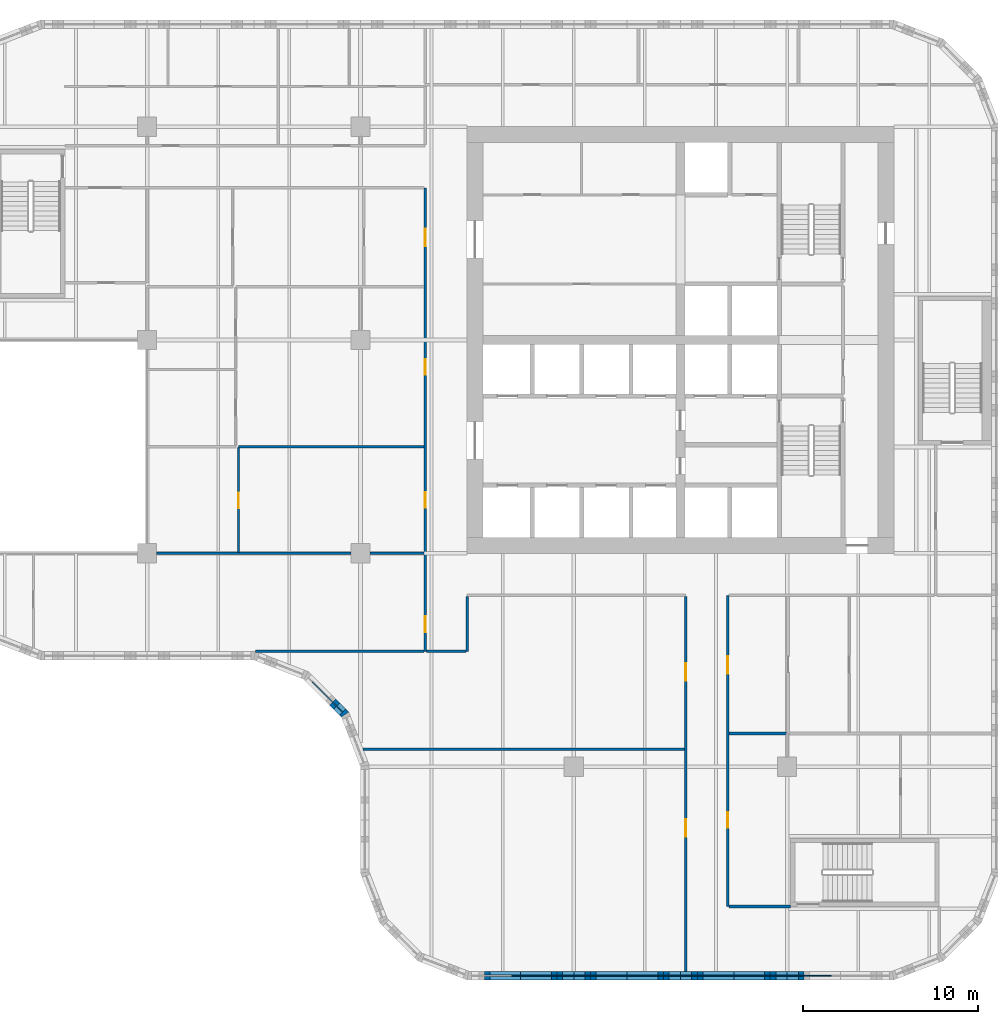
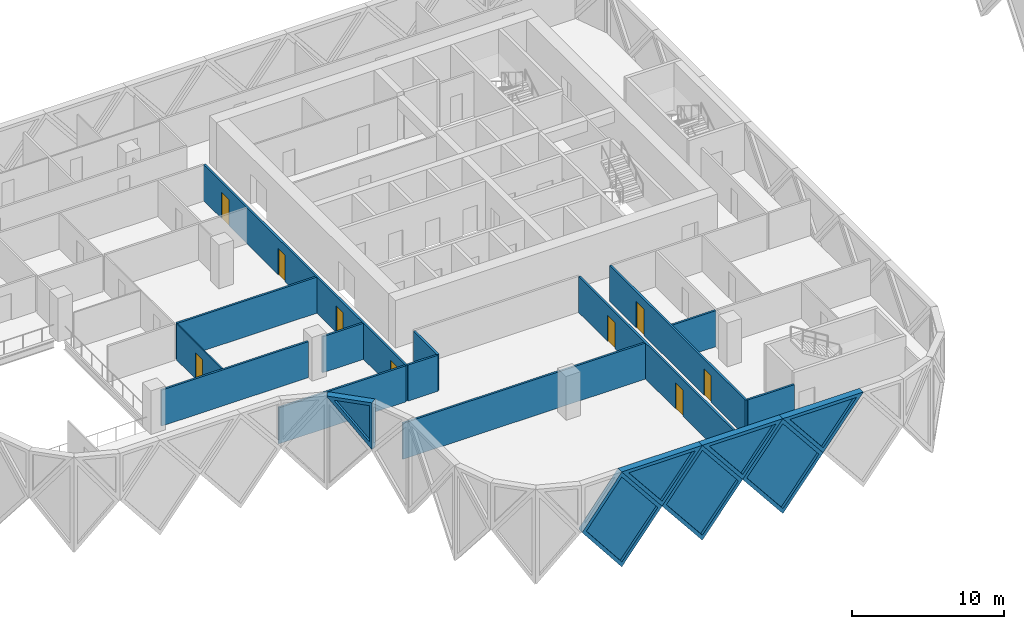
# One storey, part 6 of 24: 20 walls, 9 doors, 7 plates, 16 openings.
"""IFC4 building model written with IfcOpenShell, lengths in metres."""

from ifc_helpers import new_model, si_unit, direction, frame, frame_2d, origin, place, context, subcontext, project, spatial, polyline, rectangle, outline, extrude, faceted_brep, source, transform, mapped, material, layer, layer_set, type_object, element, fill, save


model = new_model("IFC4")

# Units and contexts
model_context = context("Model", 3, precision=1e-05, world=origin(), true_north=direction((0.0, 1.0)))
body_context = subcontext(model_context, "Body", "Model", "MODEL_VIEW")
ifc_project = project(units=[si_unit("LENGTHUNIT", "METRE"), si_unit("AREAUNIT", "SQUARE_METRE"), si_unit("VOLUMEUNIT", "CUBIC_METRE"), si_unit("PLANEANGLEUNIT", "RADIAN"), si_unit("MASSUNIT", "GRAM", prefix="KILO")], contexts=[model_context])

# Site, building, storey
site_placement = place(None, origin())
site = spatial("IfcSite", under=ifc_project, at=site_placement, CompositionType="ELEMENT")
building_placement = place(site_placement, origin())
building = spatial("IfcBuilding", under=site, at=building_placement, Name="Tessera Gate Towers", CompositionType="ELEMENT")
storey_placement = place(building_placement, frame((0.0, 0.0, 60.0)))
storey = spatial("IfcBuildingStorey", under=building, at=storey_placement, Name="L14", CompositionType="ELEMENT", Elevation=60.0)

# Wall, openings, doors
ifc_material_1 = material(Name="Gypsum board on steel studs, mineral wool", Category="steel")
ifc_layer_1 = layer(ifc_material_1, 0.14990234375)
ifc_layer_set_1 = layer_set([ifc_layer_1], Name="CORRIDOR WALL 150")
wall_type_1 = type_object("IfcWallType", Name="CORRIDOR WALL 150", PredefinedType="PARTITIONING", material=ifc_layer_set_1)
wall_1_placement = place(storey_placement, frame((43.0, 0.5, 0.0), z_axis=(0.0, 0.0, 1.0), x_axis=(0.0, 1.0, 0.0)))
wall_1 = element("IfcWall", 1, at=wall_1_placement, inside=storey, type_object=wall_type_1, Name="T1-L14-PW-001", PredefinedType="PARTITIONING", context=body_context, shape_type="SweptSolid", body=[
    extrude(rectangle(XDim=21.424072265625, YDim=0.14990234375, at=frame_2d((10.7119140625, 0.0))), origin(), (0.0, 0.0, 1.0), 2.887939453125),
])
shared_shape_1 = source(origin(), body_context, "Body", "SweptSolid", [
    extrude(rectangle(XDim=1.0, YDim=2.10009765625, at=frame_2d((0.5, 1.050048828125))), frame((0.0, 0.0849609375, 0.0), z_axis=(0.0, -1.0, 0.0), x_axis=(1.0, 0.0, 0.0)), (0.0, 0.0, 1.0), 0.169921875),
])
opening_1_placement = place(wall_1_placement, frame((16.60107421875, 0.0, 0.0)))
opening_1 = element("IfcOpeningElement", 2, at=opening_1_placement, cuts=wall_1, Name="Opening D2100FD60-A05-03", PredefinedType="OPENING", context=body_context, shape_type="MappedRepresentation", body=[
    mapped(shared_shape_1, transform((0.0, 0.0, 0.0), scale=1.0)),
])
opening_2_placement = place(wall_1_placement, frame((7.699951171875, 0.0, 0.0)))
opening_2 = element("IfcOpeningElement", 3, at=opening_2_placement, cuts=wall_1, Name="Opening D2100FD60-A05-04", PredefinedType="OPENING", context=body_context, shape_type="MappedRepresentation", body=[
    mapped(shared_shape_1, transform((0.0, 0.0, 0.0), scale=1.0)),
])
ifc_material_2 = material(Name="Timber door leaf in steel frame", Category="steel")
door_type_1 = type_object("IfcDoorType", Name="TENANCY ENTRANCE DOOR 1000 FD60", OperationType="NOTDEFINED", PredefinedType="DOOR", material=ifc_material_2)
shared_shape_2 = source(origin(), body_context, "Body", "SweptSolid", [
    extrude(rectangle(XDim=1.0, YDim=2.10009765625, at=frame_2d((0.5, 1.050048828125))), frame((0.0, 0.02490234375, 0.0), z_axis=(0.0, -1.0, 0.0), x_axis=(1.0, 0.0, 0.0)), (0.0, 0.0, 1.0), 0.050048828125),
])
door_1_placement = place(opening_1_placement, origin())
door_1 = element("IfcDoor", 4, at=door_1_placement, inside=storey, type_object=door_type_1, Name="T1-L14-PD-022", OperationType="SINGLE_SWING_LEFT", OverallHeight=2.10009765625, OverallWidth=1.0, PredefinedType="DOOR", context=body_context, shape_type="MappedRepresentation", body=[
    mapped(shared_shape_2, transform((0.0, 0.0, 0.0), scale=1.0)),
])
fill(opening_1, door_1)
door_2_placement = place(opening_2_placement, origin())
door_2 = element("IfcDoor", 5, at=door_2_placement, inside=storey, type_object=door_type_1, Name="T1-L14-PD-023", OperationType="SINGLE_SWING_LEFT", OverallHeight=2.10009765625, OverallWidth=1.0, PredefinedType="DOOR", context=body_context, shape_type="MappedRepresentation", body=[
    mapped(shared_shape_2, transform((0.0, 0.0, 0.0), scale=1.0)),
])
fill(opening_2, door_2)

wall_2_placement = place(storey_placement, frame((45.39990234375, 22.0, 0.0), z_axis=(0.0, 0.0, 1.0), x_axis=(0.0, -1.0, 0.0)))
wall_2 = element("IfcWall", 6, at=wall_2_placement, inside=storey, type_object=wall_type_1, Name="T1-L14-PW-003", PredefinedType="PARTITIONING", context=body_context, shape_type="SweptSolid", body=[
    extrude(rectangle(XDim=17.800048828125, YDim=0.14990234375, at=frame_2d((8.89990234375, 0.0))), origin(), (0.0, 0.0, 1.0), 2.887939453125),
])
opening_3_placement = place(wall_2_placement, frame((3.4990234375, 0.0, 0.0)))
opening_3 = element("IfcOpeningElement", 7, at=opening_3_placement, cuts=wall_2, Name="Opening D2100FD60-A05-02", PredefinedType="OPENING", context=body_context, shape_type="MappedRepresentation", body=[
    mapped(shared_shape_1, transform((0.0, 0.0, 0.0), scale=1.0)),
])
shared_shape_3 = source(origin(), body_context, "Body", "SweptSolid", [
    extrude(rectangle(XDim=0.89990234375, YDim=2.10009765625, at=frame_2d((0.449951171875, 1.050048828125))), frame((0.0, 0.0849609375, 0.0), z_axis=(0.0, -1.0, 0.0), x_axis=(1.0, 0.0, 0.0)), (0.0, 0.0, 1.0), 0.169921875),
])
opening_4_placement = place(wall_2_placement, frame((12.39990234375, 0.0, 0.0)))
opening_4 = element("IfcOpeningElement", 8, at=opening_4_placement, cuts=wall_2, Name="Opening D890FD60-A05-07", PredefinedType="OPENING", context=body_context, shape_type="MappedRepresentation", body=[
    mapped(shared_shape_3, transform((0.0, 0.0, 0.0), scale=1.0)),
])
ifc_material_3 = material(Name="Timber door leaf in steel frame", Category="steel")
door_type_2 = type_object("IfcDoorType", Name="CORRIDOR DOOR 900 FD60", OperationType="NOTDEFINED", PredefinedType="DOOR", material=ifc_material_3)
shared_shape_4 = source(origin(), body_context, "Body", "SweptSolid", [
    extrude(rectangle(XDim=0.89990234375, YDim=2.10009765625, at=frame_2d((0.449951171875, 1.050048828125))), frame((0.0, 0.02490234375, 0.0), z_axis=(0.0, -1.0, 0.0), x_axis=(1.0, 0.0, 0.0)), (0.0, 0.0, 1.0), 0.050048828125),
])
door_3_placement = place(opening_4_placement, origin())
door_3 = element("IfcDoor", 9, at=door_3_placement, inside=storey, type_object=door_type_2, Name="T1-L14-PD-026", OperationType="SINGLE_SWING_RIGHT", OverallHeight=2.10009765625, OverallWidth=0.89990234375, PredefinedType="DOOR", context=body_context, shape_type="MappedRepresentation", body=[
    mapped(shared_shape_4, transform((0.0, 0.0, 0.0), scale=1.0)),
])
fill(opening_4, door_3)
door_4_placement = place(opening_3_placement, origin())
door_4 = element("IfcDoor", 10, at=door_4_placement, inside=storey, type_object=door_type_1, Name="T1-L14-PD-019", OperationType="SINGLE_SWING_RIGHT", OverallHeight=2.10009765625, OverallWidth=1.0, PredefinedType="DOOR", context=body_context, shape_type="MappedRepresentation", body=[
    mapped(shared_shape_2, transform((0.0, 0.0, 0.0), scale=1.0)),
])
fill(opening_3, door_4)

# Wall
wall_3_placement = place(storey_placement, frame((45.47607421875, 4.199951171875, 0.0), z_axis=(0.0, 0.0, 1.0), x_axis=(1.0, 0.0, 0.0)))
element("IfcWall", 11, at=wall_3_placement, inside=storey, type_object=wall_type_1, Name="T1-L14-PW-004", PredefinedType="PARTITIONING", context=body_context, shape_type="SweptSolid", body=[
    extrude(rectangle(XDim=3.52392578125, YDim=0.14990234375, at=frame_2d((1.761962890625, 0.0))), origin(), (0.0, 0.0, 1.0), 2.887939453125),
])

# Wall, openings, doors
wall_4_placement = place(storey_placement, frame((28.10009765625, 18.800048828125, 0.0), z_axis=(0.0, 0.0, 1.0), x_axis=(0.0, 1.0, 0.0)))
wall_4 = element("IfcWall", 12, at=wall_4_placement, inside=storey, type_object=wall_type_1, Name="T1-L14-PW-013", PredefinedType="PARTITIONING", context=body_context, shape_type="SweptSolid", body=[
    extrude(rectangle(XDim=26.5, YDim=0.14990234375, at=frame_2d((13.25, 0.0))), origin(), (0.0, 0.0, 1.0), 2.887939453125),
])
opening_5_placement = place(wall_4_placement, frame((1.10009765625, 0.0, 0.0)))
opening_5 = element("IfcOpeningElement", 13, at=opening_5_placement, cuts=wall_4, Name="Opening D890FD60-A05-01", PredefinedType="OPENING", context=body_context, shape_type="MappedRepresentation", body=[
    mapped(shared_shape_3, transform((0.0, 0.0, 0.0), scale=1.0)),
])
opening_6_placement = place(wall_4_placement, frame((23.15087890625, 0.0, 0.0)))
opening_6 = element("IfcOpeningElement", 14, at=opening_6_placement, cuts=wall_4, Name="Opening D2100FD60-A05-01", PredefinedType="OPENING", context=body_context, shape_type="MappedRepresentation", body=[
    mapped(shared_shape_1, transform((0.0, 0.0, 0.0), scale=1.0)),
])
opening_7_placement = place(wall_4_placement, frame((8.199951171875, 0.0, 0.0)))
opening_7 = element("IfcOpeningElement", 15, at=opening_7_placement, cuts=wall_4, Name="Opening D890FD60-A05-02", PredefinedType="OPENING", context=body_context, shape_type="MappedRepresentation", body=[
    mapped(shared_shape_3, transform((0.0, 0.0, 0.0), scale=1.0)),
])
opening_8_placement = place(wall_4_placement, frame((15.800048828125, 0.0, 0.0)))
opening_8 = element("IfcOpeningElement", 16, at=opening_8_placement, cuts=wall_4, Name="Opening D890FD60-A05-06", PredefinedType="OPENING", context=body_context, shape_type="MappedRepresentation", body=[
    mapped(shared_shape_3, transform((0.0, 0.0, 0.0), scale=1.0)),
])
door_5_placement = place(opening_5_placement, origin())
door_5 = element("IfcDoor", 17, at=door_5_placement, inside=storey, type_object=door_type_2, Name="T1-L14-PD-001", OperationType="SINGLE_SWING_LEFT", OverallHeight=2.10009765625, OverallWidth=0.89990234375, PredefinedType="DOOR", context=body_context, shape_type="MappedRepresentation", body=[
    mapped(shared_shape_4, transform((0.0, 0.0, 0.0), scale=1.0)),
])
fill(opening_5, door_5)
door_6_placement = place(opening_7_placement, origin())
door_6 = element("IfcDoor", 18, at=door_6_placement, inside=storey, type_object=door_type_2, Name="T1-L14-PD-015", OperationType="SINGLE_SWING_LEFT", OverallHeight=2.10009765625, OverallWidth=0.89990234375, PredefinedType="DOOR", context=body_context, shape_type="MappedRepresentation", body=[
    mapped(shared_shape_4, transform((0.0, 0.0, 0.0), scale=1.0)),
])
fill(opening_7, door_6)
door_7_placement = place(opening_8_placement, origin())
door_7 = element("IfcDoor", 19, at=door_7_placement, inside=storey, type_object=door_type_2, Name="T1-L14-PD-025", OperationType="SINGLE_SWING_LEFT", OverallHeight=2.10009765625, OverallWidth=0.89990234375, PredefinedType="DOOR", context=body_context, shape_type="MappedRepresentation", body=[
    mapped(shared_shape_4, transform((0.0, 0.0, 0.0), scale=1.0)),
])
fill(opening_8, door_7)
door_8_placement = place(opening_6_placement, origin())
door_8 = element("IfcDoor", 20, at=door_8_placement, inside=storey, type_object=door_type_1, Name="T1-L14-PD-011", OperationType="SINGLE_SWING_LEFT", OverallHeight=2.10009765625, OverallWidth=1.0, PredefinedType="DOOR", context=body_context, shape_type="MappedRepresentation", body=[
    mapped(shared_shape_2, transform((0.0, 0.0, 0.0), scale=1.0)),
])
fill(opening_6, door_8)

# Walls
wall_5_placement = place(storey_placement, frame((28.176025390625, 18.800048828125, 0.0), z_axis=(0.0, 0.0, 1.0), x_axis=(1.0, 0.0, 0.0)))
element("IfcWall", 21, at=wall_5_placement, inside=storey, type_object=wall_type_1, Name="T1-L14-PW-014", PredefinedType="PARTITIONING", context=body_context, shape_type="SweptSolid", body=[
    extrude(rectangle(XDim=2.248046875, YDim=0.14990234375, at=frame_2d((1.1240234375, 0.0))), origin(), (0.0, 0.0, 1.0), 2.887939453125),
])
wall_6_placement = place(storey_placement, frame((30.5, 18.800048828125, 0.0), z_axis=(0.0, 0.0, 1.0), x_axis=(0.0, 1.0, 0.0)))
element("IfcWall", 22, at=wall_6_placement, inside=storey, type_object=wall_type_1, Name="T1-L14-PW-015", PredefinedType="PARTITIONING", context=body_context, shape_type="SweptSolid", body=[
    extrude(rectangle(XDim=3.1240234375, YDim=0.14990234375, at=frame_2d((1.56201171875, 0.0))), origin(), (0.0, 0.0, 1.0), 2.887939453125),
])

# Wall, opening, door
ifc_material_4 = material(Name="Gypsum board on steel studs", Category="steel")
ifc_layer_2 = layer(ifc_material_4, 0.10009765625)
ifc_layer_set_2 = layer_set([ifc_layer_2], Name="PARTITION 100")
wall_type_2 = type_object("IfcWallType", Name="PARTITION 100", PredefinedType="PARTITIONING", material=ifc_layer_set_2)
wall_7_placement = place(storey_placement, frame((17.425048828125, 24.47607421875, 0.0), z_axis=(0.0, 0.0, 1.0), x_axis=(0.0, 1.0, 0.0)))
wall_7 = element("IfcWall", 23, at=wall_7_placement, inside=storey, type_object=wall_type_2, Name="T1-L14-PW-023", PredefinedType="PARTITIONING", context=body_context, shape_type="SweptSolid", body=[
    extrude(rectangle(XDim=5.947998046875, YDim=0.10009765625, at=frame_2d((2.97412109375, 0.0))), origin(), (0.0, 0.0, 1.0), 2.887939453125),
])
shared_shape_5 = source(origin(), body_context, "Body", "SweptSolid", [
    extrude(rectangle(XDim=0.89990234375, YDim=2.10009765625, at=frame_2d((0.449951171875, 1.050048828125))), frame((0.0, 0.06005859375, 0.0), z_axis=(0.0, -1.0, 0.0), x_axis=(1.0, 0.0, 0.0)), (0.0, 0.0, 1.0), 0.1201171875),
])
opening_9_placement = place(wall_7_placement, frame((2.5, 0.0, 0.0)))
opening_9 = element("IfcOpeningElement", 24, at=opening_9_placement, cuts=wall_7, Name="Opening D190-A05-09", PredefinedType="OPENING", context=body_context, shape_type="MappedRepresentation", body=[
    mapped(shared_shape_5, transform((0.0, 0.0, 0.0), scale=1.0)),
])
ifc_material_5 = material(Name="Timber door leaf in steel frame", Category="steel")
door_type_3 = type_object("IfcDoorType", Name="INTERNAL DOOR 900 NOT RATED", OperationType="NOTDEFINED", PredefinedType="DOOR", material=ifc_material_5)
door_9_placement = place(opening_9_placement, origin())
door_9 = element("IfcDoor", 25, at=door_9_placement, inside=storey, type_object=door_type_3, Name="T1-L14-PD-014", OperationType="SINGLE_SWING_LEFT", OverallHeight=2.10009765625, OverallWidth=0.89990234375, PredefinedType="DOOR", context=body_context, shape_type="MappedRepresentation", body=[
    mapped(shared_shape_4, transform((0.0, 0.0, 0.0), scale=1.0)),
])
fill(opening_9, door_9)

# Walls
ifc_material_6 = material(Name="Gypsum board on steel studs, mineral wool", Category="steel")
ifc_layer_3 = layer(ifc_material_6, 0.14990234375)
ifc_layer_set_3 = layer_set([ifc_layer_3], Name="TENANCY WALL 150")
wall_type_3 = type_object("IfcWallType", Name="TENANCY WALL 150", PredefinedType="PARTITIONING", material=ifc_layer_set_3)
wall_8_placement = place(storey_placement, frame((24.55029296875, 13.199951171875, 0.0), z_axis=(0.0, 0.0, 1.0), x_axis=(1.0, 0.0, 0.0)))
element("IfcWall", 26, at=wall_8_placement, inside=storey, type_object=wall_type_3, Name="T1-L14-PW-007", PredefinedType="PARTITIONING", context=body_context, shape_type="SweptSolid", body=[
    extrude(rectangle(XDim=18.373779296875, YDim=0.14990234375, at=frame_2d((9.18701171875, 0.0))), origin(), (0.0, 0.0, 1.0), 2.887939453125),
])
wall_9_placement = place(storey_placement, frame((45.47607421875, 14.10009765625, 0.0), z_axis=(0.0, 0.0, 1.0), x_axis=(1.0, 0.0, 0.0)))
element("IfcWall", 27, at=wall_9_placement, inside=storey, type_object=wall_type_3, Name="T1-L14-PW-008", PredefinedType="PARTITIONING", context=body_context, shape_type="SweptSolid", body=[
    extrude(rectangle(XDim=3.2978515625, YDim=0.14990234375, at=frame_2d((1.64892578125, 0.0))), origin(), (0.0, 0.0, 1.0), 2.887939453125),
])
wall_10_placement = place(storey_placement, frame((18.39306640625, 18.800048828125, 0.0), z_axis=(0.0, 0.0, 1.0), x_axis=(1.0, 0.0, 0.0)))
element("IfcWall", 28, at=wall_10_placement, inside=storey, type_object=wall_type_3, Name="T1-L14-PW-012", PredefinedType="PARTITIONING", context=body_context, shape_type="SweptSolid", body=[
    extrude(rectangle(XDim=9.630859375, YDim=0.14990234375, at=frame_2d((4.8154296875, 0.0))), origin(), (0.0, 0.0, 1.0), 2.887939453125),
])
wall_11_placement = place(storey_placement, frame((12.7509765625, 24.39990234375, 0.0), z_axis=(0.0, 0.0, 1.0), x_axis=(1.0, 0.0, 0.0)))
element("IfcWall", 29, at=wall_11_placement, inside=storey, type_object=wall_type_3, Name="T1-L14-PW-021", PredefinedType="PARTITIONING", context=body_context, shape_type="SweptSolid", body=[
    extrude(rectangle(XDim=11.09814453125, YDim=0.14990234375, at=frame_2d((5.549072265625, 0.0))), origin(), (0.0, 0.0, 1.0), 2.887939453125),
])
wall_12_placement = place(storey_placement, frame((24.950927734375, 24.39990234375, 0.0), z_axis=(0.0, 0.0, 1.0), x_axis=(1.0, 0.0, 0.0)))
element("IfcWall", 30, at=wall_12_placement, inside=storey, type_object=wall_type_3, Name="T1-L14-PW-022", PredefinedType="PARTITIONING", context=body_context, shape_type="SweptSolid", body=[
    extrude(rectangle(XDim=3.072998046875, YDim=0.14990234375, at=frame_2d((1.53662109375, 0.0))), origin(), (0.0, 0.0, 1.0), 2.887939453125),
])
wall_13_placement = place(storey_placement, frame((17.425048828125, 30.5, 0.0), z_axis=(0.0, 0.0, 1.0), x_axis=(1.0, 0.0, 0.0)))
element("IfcWall", 31, at=wall_13_placement, inside=storey, type_object=wall_type_3, Name="T1-L14-PW-025", PredefinedType="PARTITIONING", context=body_context, shape_type="SweptSolid", body=[
    extrude(rectangle(XDim=10.598876953125, YDim=0.14990234375, at=frame_2d((5.29931640625, 0.0))), origin(), (0.0, 0.0, 1.0), 2.887939453125),
])

# Wall, opening, plate
ifc_material_7 = material(Name="Precast concrete C60/75 white", Category="concrete")
ifc_layer_4 = layer(ifc_material_7, 0.5)
ifc_layer_set_4 = layer_set([ifc_layer_4], Name="TS1 tessera")
wall_type_4 = type_object("IfcWallType", Name="TS1 tessera", PredefinedType="SOLIDWALL", material=ifc_layer_set_4)
shared_shape_6 = source(origin(), body_context, "Body", "Brep", [
    faceted_brep([(3.00341796875, -0.25, 0.0), (6.053466796875, -0.25, 3.800048828125), (3.00341796875, -0.25, 7.60009765625), (0.0, -0.25, 3.800048828125), (0.046630859375, 0.25, 3.85888671875), (3.00341796875, 0.25, 7.60009765625), (6.053466796875, 0.25, 3.800048828125), (3.00341796875, 0.25, 0.0), (0.046630859375, 0.25, 3.7412109375), (0.0, 0.0, 3.800048828125)], [[[0, 1, 2, 3]], [[4, 5, 6, 7, 8]], [[7, 6, 1, 0]], [[6, 5, 2, 1]], [[5, 4, 9, 3, 2]], [[8, 7, 0, 3, 9]], [[8, 9, 4]]]),
])
wall_14_placement = place(storey_placement, frame((30.546630859375, 0.25, -3.800048828125), z_axis=(0.0, 0.0, 1.0), x_axis=(1.0, 0.0, 0.0)))
wall_14 = element("IfcWall", 32, at=wall_14_placement, inside=storey, type_object=wall_type_4, Name="Precast tessera T1 TS1-0207", PredefinedType="SOLIDWALL", context=body_context, shape_type="MappedRepresentation", body=[
    mapped(shared_shape_6, transform((0.0, 0.0, 0.0), scale=1.0)),
])
shared_shape_7 = source(origin(), body_context, "Body", "SweptSolid", [
    extrude(outline(polyline([(3.0048828125, 0.4013671875), (5.73291015625, 3.800048828125), (3.0048828125, 7.19873046875), (0.318603515625, 3.800048828125), (3.0048828125, 0.4013671875)])), frame((0.0, 0.260009765625, 0.0), z_axis=(0.0, -1.0, 0.0), x_axis=(1.0, 0.0, 0.0)), (0.0, 0.0, 1.0), 0.52001953125),
])
opening_10_placement = place(wall_14_placement, origin())
opening_10 = element("IfcOpeningElement", 33, at=opening_10_placement, cuts=wall_14, Name="Opening T1-PL2-0423", PredefinedType="OPENING", context=body_context, shape_type="MappedRepresentation", body=[
    mapped(shared_shape_7, transform((0.0, 0.0, 0.0), scale=1.0)),
])
ifc_material_8 = material(Name="Low-e laminated glass", Category="glass")
ifc_layer_5 = layer(ifc_material_8, 0.06005859375)
ifc_layer_set_5 = layer_set([ifc_layer_5], Name="PL2 rhombic pane")
plate_type_1 = type_object("IfcPlateType", Name="PL2 rhombic pane", PredefinedType="SHEET", material=ifc_layer_set_5)
shared_shape_8 = source(origin(), body_context, "Body", "SweptSolid", [
    extrude(outline(polyline([(3.0048828125, 0.4013671875), (5.73291015625, 3.800048828125), (3.0048828125, 7.19873046875), (0.318603515625, 3.800048828125), (3.0048828125, 0.4013671875)])), frame((0.0, 0.030029296875, 0.0), z_axis=(0.0, -1.0, 0.0), x_axis=(1.0, 0.0, 0.0)), (0.0, 0.0, 1.0), 0.06005859375),
])
plate_1_placement = place(opening_10_placement, origin())
plate_1 = element("IfcPlate", 34, at=plate_1_placement, inside=storey, type_object=plate_type_1, Name="Glass pane T1 PL2-0423", PredefinedType="SHEET", context=body_context, shape_type="MappedRepresentation", body=[
    mapped(shared_shape_8, transform((0.0, 0.0, 0.0), scale=1.0)),
])
fill(opening_10, plate_1)

shared_shape_9 = source(origin(), body_context, "Body", "Brep", [
    faceted_brep([(3.050048828125, -0.25, 0.0), (6.099853515625, -0.25, 3.7998046875), (6.099853515625, -0.25, 3.80029296875), (3.050048828125, -0.25, 7.60009765625), (0.0, -0.25, 3.800048828125), (0.0, 0.25, 3.800048828125), (3.050048828125, 0.25, 7.60009765625), (6.099853515625, 0.25, 3.80029296875), (6.099853515625, 0.25, 3.7998046875), (3.050048828125, 0.25, 0.0)], [[[0, 1, 2, 3, 4]], [[5, 6, 7, 8, 9]], [[9, 8, 1, 0]], [[7, 6, 3, 2]], [[6, 5, 4, 3]], [[5, 9, 0, 4]], [[1, 8, 7, 2]]]),
])
wall_15_placement = place(storey_placement, frame((36.60009765625, 0.25, -3.800048828125), z_axis=(0.0, 0.0, 1.0), x_axis=(1.0, 0.0, 0.0)))
wall_15 = element("IfcWall", 35, at=wall_15_placement, inside=storey, type_object=wall_type_4, Name="Precast tessera T1 TS1-0208", PredefinedType="SOLIDWALL", context=body_context, shape_type="MappedRepresentation", body=[
    mapped(shared_shape_9, transform((0.0, 0.0, 0.0), scale=1.0)),
])
shared_shape_10 = source(origin(), body_context, "Body", "SweptSolid", [
    extrude(outline(polyline([(3.050048828125, 0.3994140625), (5.779541015625, 3.800048828125), (3.050048828125, 7.20068359375), (0.320556640625, 3.800048828125), (3.050048828125, 0.3994140625)])), frame((0.0, 0.260009765625, 0.0), z_axis=(0.0, -1.0, 0.0), x_axis=(1.0, 0.0, 0.0)), (0.0, 0.0, 1.0), 0.52001953125),
])
opening_11_placement = place(wall_15_placement, origin())
opening_11 = element("IfcOpeningElement", 36, at=opening_11_placement, cuts=wall_15, Name="Opening T1-PL2-0424", PredefinedType="OPENING", context=body_context, shape_type="MappedRepresentation", body=[
    mapped(shared_shape_10, transform((0.0, 0.0, 0.0), scale=1.0)),
])
shared_shape_11 = source(origin(), body_context, "Body", "SweptSolid", [
    extrude(outline(polyline([(3.050048828125, 0.3994140625), (5.779541015625, 3.800048828125), (3.050048828125, 7.20068359375), (0.320556640625, 3.800048828125), (3.050048828125, 0.3994140625)])), frame((0.0, 0.030029296875, 0.0), z_axis=(0.0, -1.0, 0.0), x_axis=(1.0, 0.0, 0.0)), (0.0, 0.0, 1.0), 0.06005859375),
])
plate_2_placement = place(opening_11_placement, origin())
plate_2 = element("IfcPlate", 37, at=plate_2_placement, inside=storey, type_object=plate_type_1, Name="Glass pane T1 PL2-0424", PredefinedType="SHEET", context=body_context, shape_type="MappedRepresentation", body=[
    mapped(shared_shape_11, transform((0.0, 0.0, 0.0), scale=1.0)),
])
fill(opening_11, plate_2)

shared_shape_12 = source(origin(), body_context, "Body", "SweptSolid", [
    extrude(outline(polyline([(3.050048828125, 0.0), (6.10009765625, 3.800048828125), (3.050048828125, 7.60009765625), (0.0, 3.800048828125), (3.050048828125, 0.0)])), frame((0.0, 0.25, 0.0), z_axis=(0.0, -1.0, 0.0), x_axis=(1.0, 0.0, 0.0)), (0.0, 0.0, 1.0), 0.5),
])
wall_16_placement = place(storey_placement, frame((42.699951171875, 0.25, -3.800048828125), z_axis=(0.0, 0.0, 1.0), x_axis=(1.0, 0.0, 0.0)))
wall_16 = element("IfcWall", 38, at=wall_16_placement, inside=storey, type_object=wall_type_4, Name="Precast tessera T1 TS1-0209", PredefinedType="SOLIDWALL", context=body_context, shape_type="MappedRepresentation", body=[
    mapped(shared_shape_12, transform((0.0, 0.0, 0.0), scale=1.0)),
])
opening_12_placement = place(wall_16_placement, origin())
opening_12 = element("IfcOpeningElement", 39, at=opening_12_placement, cuts=wall_16, Name="Opening T1-PL2-0425", PredefinedType="OPENING", context=body_context, shape_type="MappedRepresentation", body=[
    mapped(shared_shape_10, transform((0.0, 0.0, 0.0), scale=1.0)),
])
plate_3_placement = place(opening_12_placement, origin())
plate_3 = element("IfcPlate", 40, at=plate_3_placement, inside=storey, type_object=plate_type_1, Name="Glass pane T1 PL2-0425", PredefinedType="SHEET", context=body_context, shape_type="MappedRepresentation", body=[
    mapped(shared_shape_11, transform((0.0, 0.0, 0.0), scale=1.0)),
])
fill(opening_12, plate_3)

ifc_material_9 = material(Name="Precast concrete C60/75 white", Category="concrete")
ifc_layer_6 = layer(ifc_material_9, 0.5)
ifc_layer_set_6 = layer_set([ifc_layer_6], Name="TS2 half tessera")
wall_type_5 = type_object("IfcWallType", Name="TS2 half tessera", PredefinedType="SOLIDWALL", material=ifc_layer_set_6)
shared_shape_13 = source(origin(), body_context, "Body", "Brep", [
    faceted_brep([(3.050048828125, -0.25, 0.0), (6.099853515625, -0.25, 3.7998046875), (6.099853515625, -0.25, 3.800048828125), (0.0, -0.25, 3.800048828125), (0.0, 0.25, 3.800048828125), (6.099853515625, 0.25, 3.800048828125), (6.099853515625, 0.25, 3.7998046875), (3.050048828125, 0.25, 0.0)], [[[0, 1, 2, 3]], [[4, 5, 6, 7]], [[7, 6, 1, 0]], [[5, 4, 3, 2]], [[4, 7, 0, 3]], [[1, 6, 5, 2]]]),
])
wall_17_placement = place(storey_placement, frame((33.550048828125, 0.25, 0.0), z_axis=(0.0, 0.0, 1.0), x_axis=(1.0, 0.0, 0.0)))
wall_17 = element("IfcWall", 41, at=wall_17_placement, inside=storey, type_object=wall_type_5, Name="Precast half tessera T1 TS2-0069", PredefinedType="SOLIDWALL", context=body_context, shape_type="MappedRepresentation", body=[
    mapped(shared_shape_13, transform((0.0, 0.0, 0.0), scale=1.0)),
])
shared_shape_14 = source(origin(), body_context, "Body", "SweptSolid", [
    extrude(outline(polyline([(3.050048828125, 0.3994140625), (5.578857421875, 3.550048828125), (0.521240234375, 3.550048828125), (3.050048828125, 0.3994140625)])), frame((0.0, 0.260009765625, 0.0), z_axis=(0.0, -1.0, 0.0), x_axis=(1.0, 0.0, 0.0)), (0.0, 0.0, 1.0), 0.52001953125),
])
opening_13_placement = place(wall_17_placement, origin())
opening_13 = element("IfcOpeningElement", 42, at=opening_13_placement, cuts=wall_17, Name="Opening T1-PL1-0143", PredefinedType="OPENING", context=body_context, shape_type="MappedRepresentation", body=[
    mapped(shared_shape_14, transform((0.0, 0.0, 0.0), scale=1.0)),
])
ifc_material_10 = material(Name="Low-e laminated glass", Category="glass")
ifc_layer_7 = layer(ifc_material_10, 0.06005859375)
ifc_layer_set_7 = layer_set([ifc_layer_7], Name="PL1 triangular pane")
plate_type_2 = type_object("IfcPlateType", Name="PL1 triangular pane", PredefinedType="SHEET", material=ifc_layer_set_7)
shared_shape_15 = source(origin(), body_context, "Body", "SweptSolid", [
    extrude(outline(polyline([(3.050048828125, 0.3994140625), (5.578857421875, 3.550048828125), (0.521240234375, 3.550048828125), (3.050048828125, 0.3994140625)])), frame((0.0, 0.030029296875, 0.0), z_axis=(0.0, -1.0, 0.0), x_axis=(1.0, 0.0, 0.0)), (0.0, 0.0, 1.0), 0.06005859375),
])
plate_4_placement = place(opening_13_placement, origin())
plate_4 = element("IfcPlate", 43, at=plate_4_placement, inside=storey, type_object=plate_type_2, Name="Glass pane T1 PL1-0143", PredefinedType="SHEET", context=body_context, shape_type="MappedRepresentation", body=[
    mapped(shared_shape_15, transform((0.0, 0.0, 0.0), scale=1.0)),
])
fill(opening_13, plate_4)

shared_shape_16 = source(origin(), body_context, "Body", "SweptSolid", [
    extrude(outline(polyline([(3.050048828125, 0.0), (6.10009765625, 3.800048828125), (0.0, 3.800048828125), (3.050048828125, 0.0)])), frame((0.0, 0.25, 0.0), z_axis=(0.0, -1.0, 0.0), x_axis=(1.0, 0.0, 0.0)), (0.0, 0.0, 1.0), 0.5),
])
wall_18_placement = place(storey_placement, frame((39.64990234375, 0.25, 0.0), z_axis=(0.0, 0.0, 1.0), x_axis=(1.0, 0.0, 0.0)))
wall_18 = element("IfcWall", 44, at=wall_18_placement, inside=storey, type_object=wall_type_5, Name="Precast half tessera T1 TS2-0070", PredefinedType="SOLIDWALL", context=body_context, shape_type="MappedRepresentation", body=[
    mapped(shared_shape_16, transform((0.0, 0.0, 0.0), scale=1.0)),
])
opening_14_placement = place(wall_18_placement, origin())
opening_14 = element("IfcOpeningElement", 45, at=opening_14_placement, cuts=wall_18, Name="Opening T1-PL1-0144", PredefinedType="OPENING", context=body_context, shape_type="MappedRepresentation", body=[
    mapped(shared_shape_14, transform((0.0, 0.0, 0.0), scale=1.0)),
])
plate_5_placement = place(opening_14_placement, origin())
plate_5 = element("IfcPlate", 46, at=plate_5_placement, inside=storey, type_object=plate_type_2, Name="Glass pane T1 PL1-0144", PredefinedType="SHEET", context=body_context, shape_type="MappedRepresentation", body=[
    mapped(shared_shape_15, transform((0.0, 0.0, 0.0), scale=1.0)),
])
fill(opening_14, plate_5)

wall_19_placement = place(storey_placement, frame((45.75, 0.25, 0.0), z_axis=(0.0, 0.0, 1.0), x_axis=(1.0, 0.0, 0.0)))
wall_19 = element("IfcWall", 47, at=wall_19_placement, inside=storey, type_object=wall_type_5, Name="Precast half tessera T1 TS2-0071", PredefinedType="SOLIDWALL", context=body_context, shape_type="MappedRepresentation", body=[
    mapped(shared_shape_16, transform((0.0, 0.0, 0.0), scale=1.0)),
])
opening_15_placement = place(wall_19_placement, origin())
opening_15 = element("IfcOpeningElement", 48, at=opening_15_placement, cuts=wall_19, Name="Opening T1-PL1-0145", PredefinedType="OPENING", context=body_context, shape_type="MappedRepresentation", body=[
    mapped(shared_shape_14, transform((0.0, 0.0, 0.0), scale=1.0)),
])
plate_6_placement = place(opening_15_placement, origin())
plate_6 = element("IfcPlate", 49, at=plate_6_placement, inside=storey, type_object=plate_type_2, Name="Glass pane T1 PL1-0145", PredefinedType="SHEET", context=body_context, shape_type="MappedRepresentation", body=[
    mapped(shared_shape_15, transform((0.0, 0.0, 0.0), scale=1.0)),
])
fill(opening_15, plate_6)

ifc_material_11 = material(Name="Precast concrete C60/75 white", Category="concrete")
ifc_layer_8 = layer(ifc_material_11, 0.5)
ifc_layer_set_8 = layer_set([ifc_layer_8], Name="TS3 corner tessera")
wall_type_6 = type_object("IfcWallType", Name="TS3 corner tessera", PredefinedType="SOLIDWALL", material=ifc_layer_set_8)
shared_shape_17 = source(origin(), body_context, "Body", "Brep", [
    faceted_brep([(3.10302734375, -0.25, 3.800048828125), (0.052978515625, -0.25, 3.800048828125), (0.052978515625, -0.25, 3.736328125), (3.10302734375, -0.25, 0.063720703125), (0.0, 0.25, 3.800048828125), (3.208740234375, 0.25, 3.800048828125), (3.208740234375, 0.25, 0.06396484375), (3.15576171875, 0.25, 0.0), (3.15576171875, -0.00048828125, 0.0), (0.0, 0.0, 3.800048828125)], [[[0, 1, 2, 3]], [[4, 5, 6, 7]], [[7, 6, 8]], [[5, 4, 9, 1, 0]], [[4, 7, 8, 3, 2, 9]], [[2, 1, 9]], [[3, 8, 6, 5, 0]]]),
])
wall_20_placement = place(storey_placement, frame((21.284912109375, 17.41650390625, 0.0), z_axis=(0.0, 0.0, 1.0), x_axis=(0.707106781187, -0.707106781187, 0.0)))
wall_20 = element("IfcWall", 50, at=wall_20_placement, inside=storey, type_object=wall_type_6, Name="Precast corner tessera T1 TS3-0333", PredefinedType="SOLIDWALL", context=body_context, shape_type="MappedRepresentation", body=[
    mapped(shared_shape_17, transform((0.0, 0.0, 0.0), scale=1.0)),
])
shared_shape_18 = source(origin(), body_context, "Body", "SweptSolid", [
    extrude(outline(polyline([(2.955810546875, 3.550048828125), (0.53271484375, 3.550048828125), (2.955810546875, 0.632080078125), (2.955810546875, 3.550048828125)])), frame((0.0, 0.260009765625, 0.0), z_axis=(0.0, -1.0, 0.0), x_axis=(1.0, 0.0, 0.0)), (0.0, 0.0, 1.0), 0.52001953125),
])
opening_16_placement = place(wall_20_placement, origin())
opening_16 = element("IfcOpeningElement", 51, at=opening_16_placement, cuts=wall_20, Name="Opening T1-PL1-0183", PredefinedType="OPENING", context=body_context, shape_type="MappedRepresentation", body=[
    mapped(shared_shape_18, transform((0.0, 0.0, 0.0), scale=1.0)),
])
shared_shape_19 = source(origin(), body_context, "Body", "SweptSolid", [
    extrude(outline(polyline([(2.955810546875, 3.550048828125), (0.53271484375, 3.550048828125), (2.955810546875, 0.632080078125), (2.955810546875, 3.550048828125)])), frame((0.0, 0.030029296875, 0.0), z_axis=(0.0, -1.0, 0.0), x_axis=(1.0, 0.0, 0.0)), (0.0, 0.0, 1.0), 0.06005859375),
])
plate_7_placement = place(opening_16_placement, origin())
plate_7 = element("IfcPlate", 52, at=plate_7_placement, inside=storey, type_object=plate_type_2, Name="Glass pane T1 PL1-0183", PredefinedType="SHEET", context=body_context, shape_type="MappedRepresentation", body=[
    mapped(shared_shape_19, transform((0.0, 0.0, 0.0), scale=1.0)),
])
fill(opening_16, plate_7)

save(model, "model.ifc")
